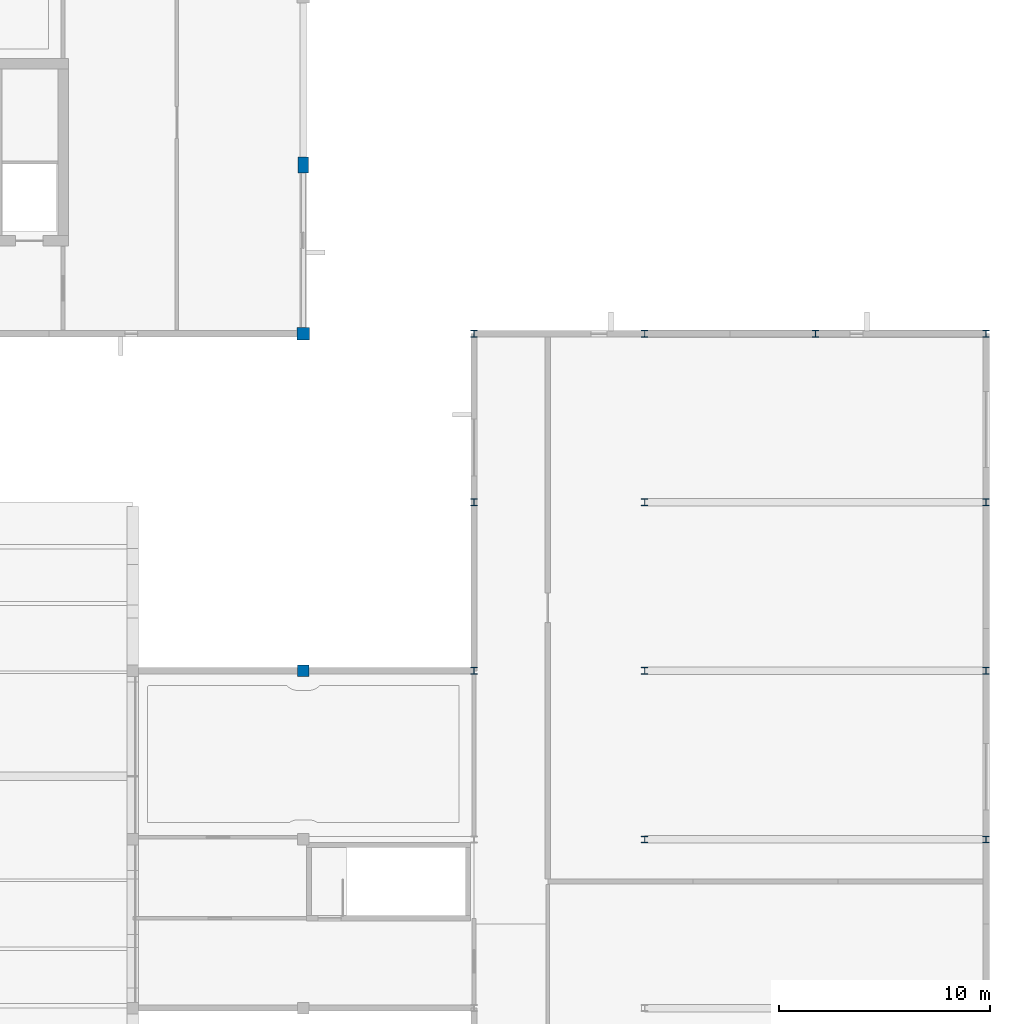
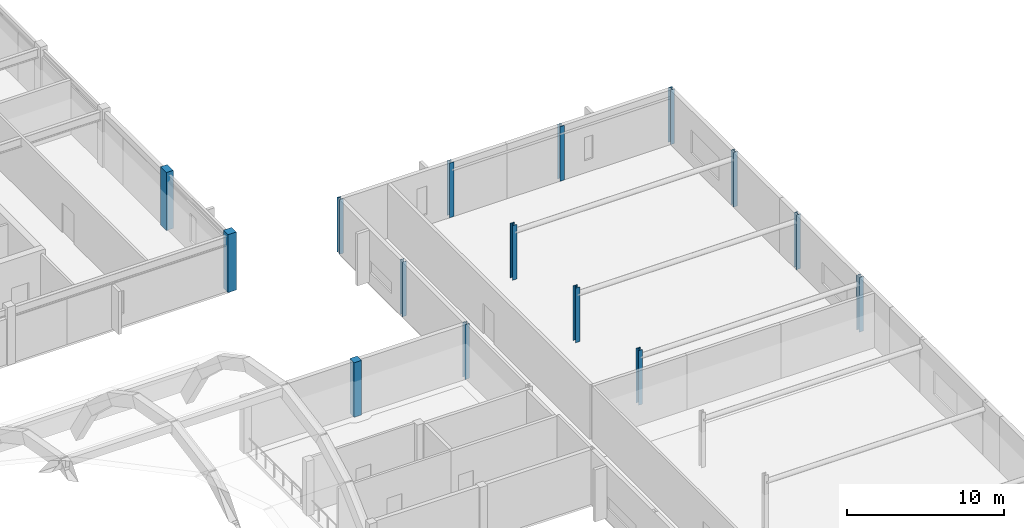
# One storey, part 3 of 67: 15 columns.
"""IFC4 building model written with IfcOpenShell, lengths in metres."""

from ifc_helpers import new_model, si_unit, direction, frame, origin, origin_2d, place, context, subcontext, project, spatial, rectangle, i_section, extrude, material, material_profile, profile_set, type_object, element, save


model = new_model("IFC4")

# Units and contexts
model_context = context("Model", 3, precision=1e-05, world=origin(), true_north=direction((0.0, 1.0)))
body_context = subcontext(model_context, "Body", "Model", "MODEL_VIEW")
ifc_project = project(units=[si_unit("LENGTHUNIT", "METRE"), si_unit("AREAUNIT", "SQUARE_METRE"), si_unit("VOLUMEUNIT", "CUBIC_METRE"), si_unit("PLANEANGLEUNIT", "RADIAN"), si_unit("MASSUNIT", "GRAM", prefix="KILO")], contexts=[model_context])

# Site, building, storey
site_placement = place(None, origin())
site = spatial("IfcSite", under=ifc_project, at=site_placement, CompositionType="ELEMENT")
building_placement = place(site_placement, origin())
building = spatial("IfcBuilding", under=site, at=building_placement, Name="Tarnveldt Square Police Headquarters", CompositionType="ELEMENT")
storey_placement = place(building_placement, frame((0.0, 0.0, 10.199951171875)))
storey = spatial("IfcBuildingStorey", under=building, at=storey_placement, Name="L02", CompositionType="ELEMENT", Elevation=10.199951171875)

# Columns
ifc_material_1 = material(Name="Concrete 40 MPa", Category="concrete")
ifc_material_profile_1 = material_profile(ifc_material_1, rectangle(XDim=0.5, YDim=0.75, at=origin_2d()), Name="RC-C500x750")
ifc_profile_set_1 = profile_set([ifc_material_profile_1], Name="Concrete 40 MPa")
column_type_1 = type_object("IfcColumnType", Name="COL-RC500x750", PredefinedType="COLUMN", material=ifc_profile_set_1)
column_1_placement = place(storey_placement, frame((129.60009765625, 64.0, 0.0), z_axis=(0.0, 0.0, 1.0), x_axis=(1.0, 0.0, 0.0)))
element("IfcColumn", 1, at=column_1_placement, inside=storey, type_object=column_type_1, Name="L02 Column 173", PredefinedType="COLUMN", context=body_context, shape_type="SweptSolid", body=[
    extrude(rectangle(XDim=0.5, YDim=0.75, at=origin_2d()), origin(), (0.0, 0.0, 1.0), 4.5),
])
ifc_material_profile_2 = material_profile(ifc_material_1, rectangle(XDim=0.550048828125, YDim=0.550048828125, at=origin_2d()), Name="RC-C550x550")
ifc_profile_set_2 = profile_set([ifc_material_profile_2], Name="Concrete 40 MPa")
column_type_2 = type_object("IfcColumnType", Name="COL-RC550", PredefinedType="COLUMN", material=ifc_profile_set_2)
column_2_placement = place(storey_placement, frame((129.60009765625, 40.0, 0.0), z_axis=(0.0, 0.0, 1.0), x_axis=(1.0, 0.0, 0.0)))
element("IfcColumn", 2, at=column_2_placement, inside=storey, type_object=column_type_2, Name="L02 Column 171", PredefinedType="COLUMN", context=body_context, shape_type="SweptSolid", body=[
    extrude(rectangle(XDim=0.550048828125, YDim=0.550048828125, at=origin_2d()), origin(), (0.0, 0.0, 1.0), 4.239990234375),
])
ifc_material_profile_3 = material_profile(ifc_material_1, rectangle(XDim=0.60009765625, YDim=0.60009765625, at=origin_2d()), Name="RC-C600x600")
ifc_profile_set_3 = profile_set([ifc_material_profile_3], Name="Concrete 40 MPa")
column_type_3 = type_object("IfcColumnType", Name="COL-RC600", PredefinedType="COLUMN", material=ifc_profile_set_3)
column_3_placement = place(storey_placement, frame((129.60009765625, 56.0, 0.0), z_axis=(0.0, 0.0, 1.0), x_axis=(1.0, 0.0, 0.0)))
element("IfcColumn", 3, at=column_3_placement, inside=storey, type_object=column_type_3, Name="L02 Column 172", PredefinedType="COLUMN", context=body_context, shape_type="SweptSolid", body=[
    extrude(rectangle(XDim=0.60009765625, YDim=0.60009765625, at=origin_2d()), origin(), (0.0, 0.0, 1.0), 4.5),
])
ifc_material_2 = material(Name="Steel 350W", Category="steel")
ifc_material_profile_4 = material_profile(ifc_material_2, i_section(OverallWidth=0.30908203125, OverallDepth=0.322998046875, WebThickness=0.013916015625, FlangeThickness=0.02294921875, FilletRadius=0.014892578125, at=origin_2d()), Name="W310x143")
ifc_profile_set_4 = profile_set([ifc_material_profile_4], Name="Steel 350W")
column_type_4 = type_object("IfcColumnType", Name="COL-W310x143", PredefinedType="COLUMN", material=ifc_profile_set_4)
for number, where, z_axis, x_axis, name in (
    (4, (137.699951171875, 40.0, 0.0), (0.0, 0.0, 1.0), (1.0, 0.0, 0.0), "L02 Column 190"),
    (5, (137.699951171875, 48.0, 0.0), (0.0, 0.0, 1.0), (1.0, 0.0, 0.0), "L02 Column 191"),
    (6, (137.699951171875, 56.0, 0.0), (0.0, 0.0, 1.0), (1.0, 0.0, 0.0), "L02 Column 192"),
    (7, (145.800048828125, 32.0, 0.0), (0.0, 0.0, 1.0), (1.0, 0.0, 0.0), "L02 Column 197"),
    (8, (145.800048828125, 40.0, 0.0), (0.0, 0.0, 1.0), (1.0, 0.0, 0.0), "L02 Column 198"),
    (9, (145.800048828125, 48.0, 0.0), (0.0, 0.0, 1.0), (1.0, 0.0, 0.0), "L02 Column 199"),
    (10, (145.800048828125, 56.0, 0.0), (0.0, 0.0, 1.0), (1.0, 0.0, 0.0), "L02 Column 200"),
    (11, (153.89990234375, 56.0, 0.0), (0.0, 0.0, 1.0), (1.0, 0.0, 0.0), "L02 Column 202"),
    (12, (162.0, 32.0, 0.0), (0.0, 0.0, 1.0), (1.0, 0.0, 0.0), "L02 Column 207"),
    (13, (162.0, 40.0, 0.0), (0.0, 0.0, 1.0), (1.0, 0.0, 0.0), "L02 Column 208"),
    (14, (162.0, 48.0, 0.0), (0.0, 0.0, 1.0), (1.0, 0.0, 0.0), "L02 Column 209"),
    (15, (162.0, 56.0, 0.0), (0.0, 0.0, 1.0), (1.0, 0.0, 0.0), "L02 Column 210"),
):
    element("IfcColumn", number, at=place(storey_placement, frame(where, z_axis=z_axis, x_axis=x_axis)), inside=storey, type_object=column_type_4, Name=name, PredefinedType="COLUMN", context=body_context, shape_type="SweptSolid", body=[
        extrude(i_section(OverallWidth=0.30908203125, OverallDepth=0.322998046875, WebThickness=0.013916015625, FlangeThickness=0.02294921875, FilletRadius=0.014892578125, at=origin_2d()), origin(), (0.0, 0.0, 1.0), 4.239990234375),
    ])

save(model, "model.ifc")
